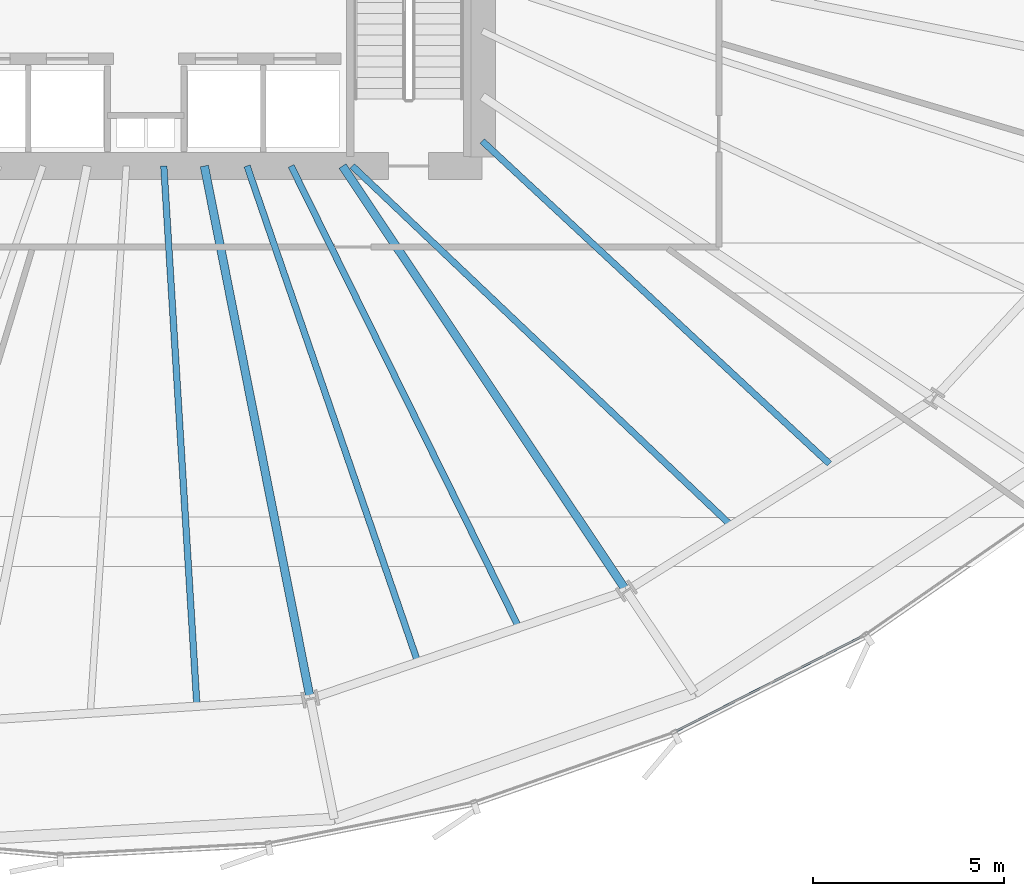
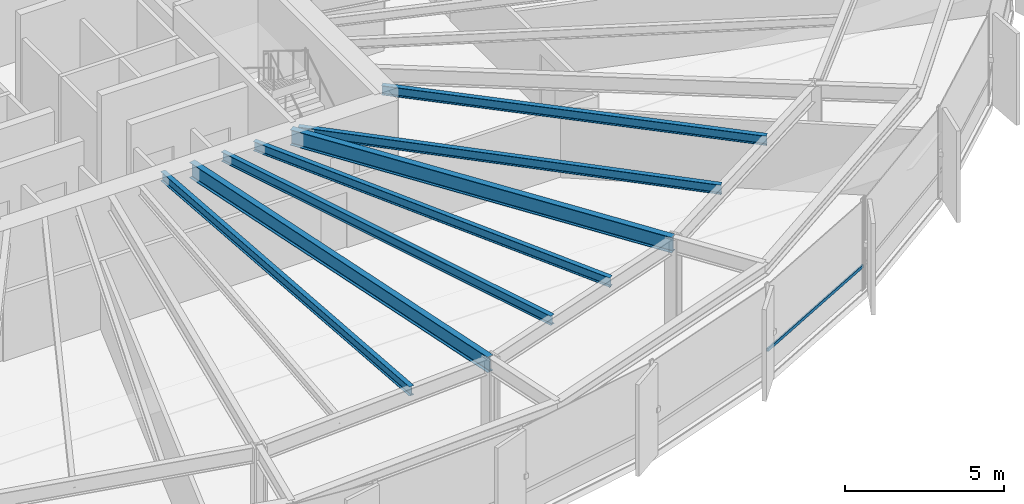
# One storey, part 12 of 37: 7 beams, 1 member, 1 element without a shape of its own.
"""IFC4 building model written with IfcOpenShell, lengths in metres."""

from ifc_helpers import new_model, si_unit, direction, frame, origin, origin_2d, place, context, subcontext, project, spatial, hollow_rectangle, i_section, extrude, source, transform, mapped, material, layer, layer_set, material_profile, profile_set, type_object, element, aggregate, save


model = new_model("IFC4")

# Units and contexts
model_context = context("Model", 3, precision=1e-05, world=origin(), true_north=direction((0.0, 1.0)))
body_context = subcontext(model_context, "Body", "Model", "MODEL_VIEW")
ifc_project = project(units=[si_unit("LENGTHUNIT", "METRE"), si_unit("AREAUNIT", "SQUARE_METRE"), si_unit("VOLUMEUNIT", "CUBIC_METRE"), si_unit("PLANEANGLEUNIT", "RADIAN"), si_unit("MASSUNIT", "GRAM", prefix="KILO"), si_unit("THERMODYNAMICTEMPERATUREUNIT", "KELVIN")], contexts=[model_context])

# Site, building, storey
site_placement = place(None, origin())
site = spatial("IfcSite", under=ifc_project, at=site_placement, CompositionType="ELEMENT")
building_placement = place(site_placement, origin())
building = spatial("IfcBuilding", under=site, at=building_placement, Name="Kethvar Cultural Tower", CompositionType="ELEMENT")
storey_placement = place(building_placement, frame((0.0, 0.0, 60.0)))
storey = spatial("IfcBuildingStorey", under=building, at=storey_placement, Name="L14", CompositionType="ELEMENT", Elevation=60.0)

# Beams
ifc_material_1 = material(Name="Steel S355J2", Category="steel")
ifc_material_profile_1 = material_profile(ifc_material_1, i_section(OverallWidth=0.219970703125, OverallDepth=0.60009765625, WebThickness=0.011962890625, FlangeThickness=0.01904296875, FilletRadius=0.02392578125, at=origin_2d()), Name="Steel S355J2 — IPE600")
ifc_profile_set_1 = profile_set([ifc_material_profile_1], Name="Steel S355J2 — IPE600")
beam_type_1 = type_object("IfcBeamType", Name="BM-IPE600", PredefinedType="BEAM", material=ifc_profile_set_1)
shared_shape_1 = source(origin(), body_context, "Body", "SweptSolid", [
    extrude(i_section(OverallWidth=0.219970703125, OverallDepth=0.60009765625, WebThickness=0.011962890625, FlangeThickness=0.01904296875, FilletRadius=0.02392578125, at=origin_2d()), origin(), (0.0, 0.0, 1.0), 14.210693359375),
])
beam_1_placement = place(storey_placement, frame((48.33154296875, 20.10009765625, 3.248046875), z_axis=(0.195098432651, -0.980783667063, 0.0), x_axis=(0.980783667063, 0.195098432651, 0.0)))
element("IfcBeam", 1, at=beam_1_placement, inside=storey, type_object=beam_type_1, Name="L14 Primary Radial Beam RB-13", PredefinedType="BEAM", context=body_context, shape_type="MappedRepresentation", body=[
    mapped(shared_shape_1, transform((0.0, 0.0, 0.0), scale=1.0)),
])
shared_shape_2 = source(origin(), body_context, "Body", "SweptSolid", [
    extrude(i_section(OverallWidth=0.219970703125, OverallDepth=0.60009765625, WebThickness=0.011962890625, FlangeThickness=0.01904296875, FilletRadius=0.02392578125, at=origin_2d()), origin(), (0.0, 0.0, 1.0), 13.365478515625),
])
beam_2_placement = place(storey_placement, frame((51.945068359375, 20.10009765625, 3.248046875), z_axis=(0.555559834465, -0.831476560301, 0.0), x_axis=(0.831476560301, 0.555559834465, 0.0)))
element("IfcBeam", 2, at=beam_2_placement, inside=storey, type_object=beam_type_1, Name="L14 Primary Radial Beam RB-14", PredefinedType="BEAM", context=body_context, shape_type="MappedRepresentation", body=[
    mapped(shared_shape_2, transform((0.0, 0.0, 0.0), scale=1.0)),
])
ifc_material_profile_2 = material_profile(ifc_material_1, i_section(OverallWidth=0.169921875, OverallDepth=0.360107421875, WebThickness=0.008056640625, FlangeThickness=0.0126953125, FilletRadius=0.01806640625, at=origin_2d()), Name="Steel S355J2 — IPE360")
ifc_profile_set_2 = profile_set([ifc_material_profile_2], Name="Steel S355J2 — IPE360")
beam_type_2 = type_object("IfcBeamType", Name="BM-J360", PredefinedType="JOIST", material=ifc_profile_set_2)
shared_shape_3 = source(origin(), body_context, "Body", "SweptSolid", [
    extrude(i_section(OverallWidth=0.169921875, OverallDepth=0.360107421875, WebThickness=0.008056640625, FlangeThickness=0.0126953125, FilletRadius=0.01806640625, at=origin_2d()), origin(), (0.0, 0.0, 1.0), 14.156494140625),
])
beam_3_placement = place(storey_placement, frame((47.272216796875, 20.10009765625, 3.367919921875), z_axis=(0.06122296991, -0.998124114505, 0.0), x_axis=(0.998124114505, 0.06122296991, 0.0)))
element("IfcBeam", 3, at=beam_3_placement, inside=storey, type_object=beam_type_2, Name="L14 Composite Floor Joist J-12B", PredefinedType="JOIST", context=body_context, shape_type="MappedRepresentation", body=[
    mapped(shared_shape_3, transform((0.0, 0.0, 0.0), scale=1.0)),
])
shared_shape_4 = source(origin(), body_context, "Body", "SweptSolid", [
    extrude(i_section(OverallWidth=0.169921875, OverallDepth=0.360107421875, WebThickness=0.008056640625, FlangeThickness=0.0126953125, FilletRadius=0.01806640625, at=origin_2d()), origin(), (0.0, 0.0, 1.0), 13.7236328125),
])
beam_4_placement = place(storey_placement, frame((49.449462890625, 20.10009765625, 3.367919921875), z_axis=(0.325355191569, -0.945591877778, 0.0), x_axis=(0.945591877778, 0.325355191569, 0.0)))
element("IfcBeam", 4, at=beam_4_placement, inside=storey, type_object=beam_type_2, Name="L14 Composite Floor Joist J-13A", PredefinedType="JOIST", context=body_context, shape_type="MappedRepresentation", body=[
    mapped(shared_shape_4, transform((0.0, 0.0, 0.0), scale=1.0)),
])
shared_shape_5 = source(origin(), body_context, "Body", "SweptSolid", [
    extrude(i_section(OverallWidth=0.169921875, OverallDepth=0.360107421875, WebThickness=0.008056640625, FlangeThickness=0.0126953125, FilletRadius=0.01806640625, at=origin_2d()), origin(), (0.0, 0.0, 1.0), 13.4638671875),
])
beam_5_placement = place(storey_placement, frame((50.6005859375, 20.10009765625, 3.367919921875), z_axis=(0.442609148219, -0.89671463795, 0.0), x_axis=(0.89671463795, 0.442609148219, 0.0)))
element("IfcBeam", 5, at=beam_5_placement, inside=storey, type_object=beam_type_2, Name="L14 Composite Floor Joist J-13B", PredefinedType="JOIST", context=body_context, shape_type="MappedRepresentation", body=[
    mapped(shared_shape_5, transform((0.0, 0.0, 0.0), scale=1.0)),
])
shared_shape_6 = source(origin(), body_context, "Body", "SweptSolid", [
    extrude(i_section(OverallWidth=0.169921875, OverallDepth=0.360107421875, WebThickness=0.008056640625, FlangeThickness=0.0126953125, FilletRadius=0.01806640625, at=origin_2d()), origin(), (0.0, 0.0, 1.0), 13.656982421875),
])
beam_6_placement = place(storey_placement, frame((52.199951171875, 20.10009765625, 3.367919921875), z_axis=(0.725392974221, -0.688334971472, 0.0), x_axis=(0.688334971472, 0.725392974221, 0.0)))
element("IfcBeam", 6, at=beam_6_placement, inside=storey, type_object=beam_type_2, Name="L14 Composite Floor Joist J-14A", PredefinedType="JOIST", context=body_context, shape_type="MappedRepresentation", body=[
    mapped(shared_shape_6, transform((0.0, 0.0, 0.0), scale=1.0)),
])
shared_shape_7 = source(origin(), body_context, "Body", "SweptSolid", [
    extrude(i_section(OverallWidth=0.169921875, OverallDepth=0.360107421875, WebThickness=0.008056640625, FlangeThickness=0.0126953125, FilletRadius=0.01806640625, at=origin_2d()), origin(), (0.0, 0.0, 1.0), 12.3974609375),
])
beam_7_placement = place(storey_placement, frame((55.60009765625, 20.75, 3.367919921875), z_axis=(0.732566203092, -0.68069578968, 0.0), x_axis=(0.68069578968, 0.732566203092, 0.0)))
element("IfcBeam", 7, at=beam_7_placement, inside=storey, type_object=beam_type_2, Name="L14 Composite Floor Joist J-14B", PredefinedType="JOIST", context=body_context, shape_type="MappedRepresentation", body=[
    mapped(shared_shape_7, transform((0.0, 0.0, 0.0), scale=1.0)),
])

# Curtain wall, member
ifc_material_2 = material(Name="Aluminium 6063-T6", Category="aluminium")
ifc_layer = layer(ifc_material_2, 0.179931640625, Name="Aluminium 6063-T6", Category="aluminium")
ifc_layer_set = layer_set([ifc_layer], Name="Aluminium 6063-T6 (180 mm)")
curtain_wall_type = type_object("IfcCurtainWallType", Name="CW-SYS-02-Z1", PredefinedType="NOTDEFINED", material=ifc_layer_set)
curtain_wall_placement = place(storey_placement, origin())
curtain_wall = element("IfcCurtainWall", 8, at=curtain_wall_placement, inside=storey, type_object=curtain_wall_type, Name="L14 Curtain Wall Run 05", PredefinedType="NOTDEFINED")
ifc_material_profile_3 = material_profile(ifc_material_2, hollow_rectangle(XDim=0.054931640625, YDim=0.1201171875, WallThickness=0.00390625, at=origin_2d()), Name="Aluminium 6063-T6 — RHS120x55x4")
ifc_profile_set_3 = profile_set([ifc_material_profile_3], Name="Aluminium 6063-T6 — RHS120x55x4")
member_type = type_object("IfcMemberType", Name="CW-SYS-02-Z1-TRN", PredefinedType="USERDEFINED", material=ifc_profile_set_3)
shared_shape_8 = source(origin(), body_context, "Body", "SweptSolid", [
    extrude(hollow_rectangle(XDim=0.054931640625, YDim=0.1201171875, WallThickness=0.00390625, at=origin_2d()), origin(), (0.0, 0.0, 1.0), 5.499267578125),
])
member_placement = place(storey_placement, frame((60.65771484375, 5.310302734375, 0.949951171875), z_axis=(0.890937494239, 0.454125953188, 0.0), x_axis=(-0.454125953188, 0.890937494239, 0.0)))
member = element("IfcMember", 9, at=member_placement, type_object=member_type, Name="CW-L14-R05 Transom 6", ObjectType="TRANSOM", PredefinedType="USERDEFINED", context=body_context, shape_type="MappedRepresentation", body=[
    mapped(shared_shape_8, transform((0.0, 0.0, 0.0), scale=1.0)),
])
aggregate(curtain_wall, [member])

save(model, "model.ifc")
